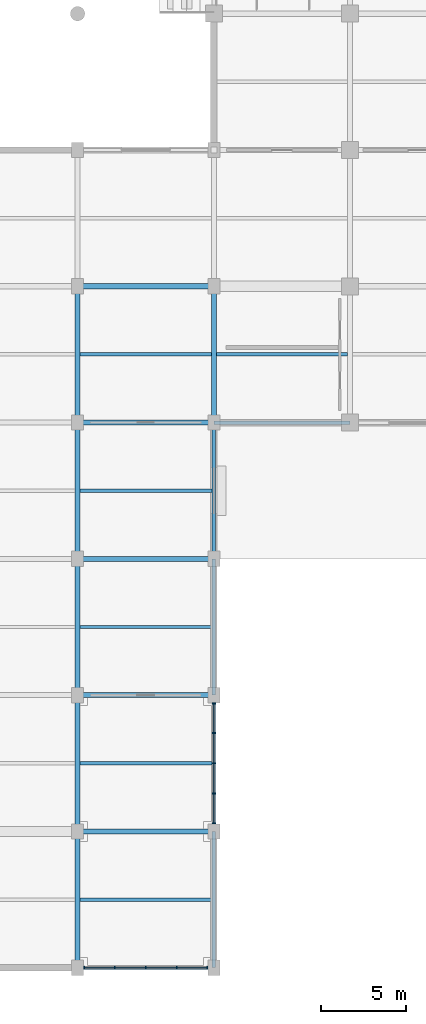
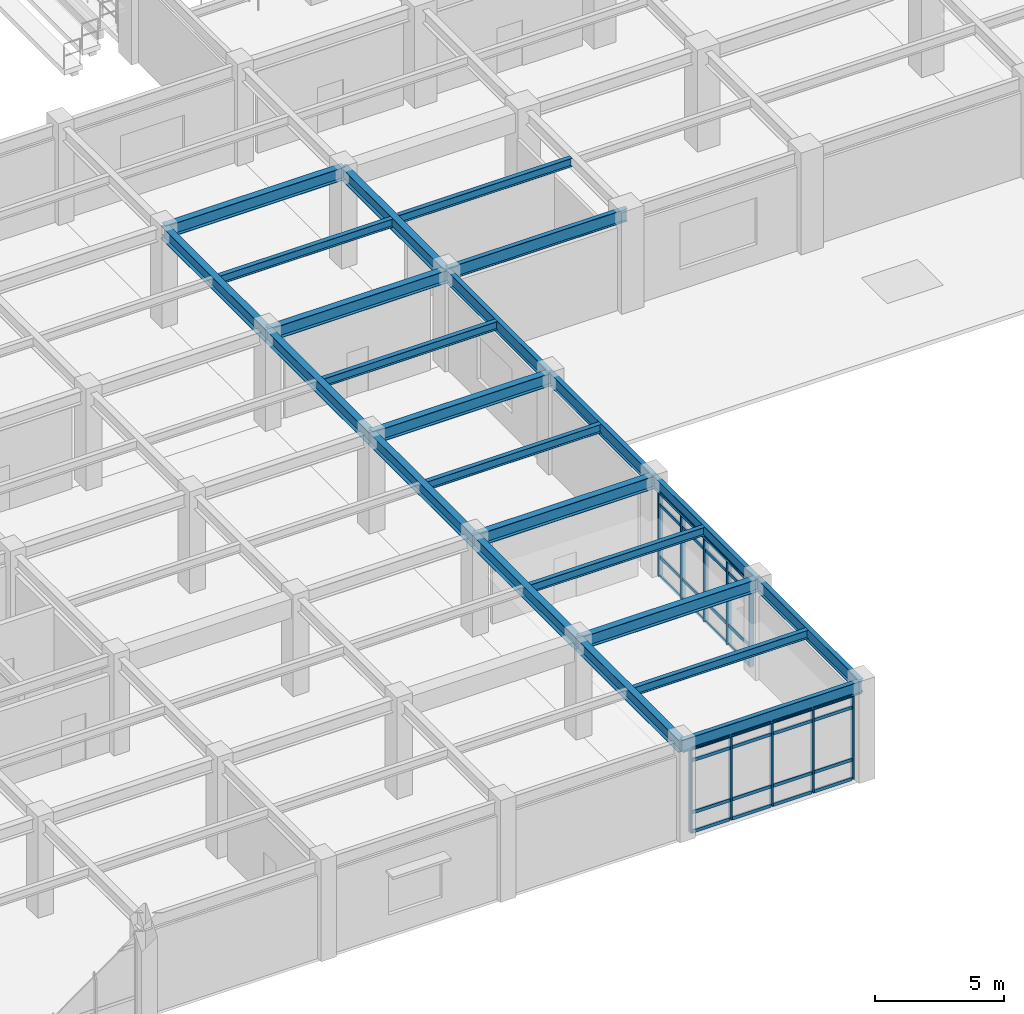
# One storey, part 31 of 117: 42 members, 23 beams, 2 elements without a shape of their own.
"""IFC4 building model written with IfcOpenShell, lengths in metres."""

from ifc_helpers import new_model, si_unit, direction, frame, origin, origin_2d, place, context, subcontext, project, spatial, rectangle, i_section, extrude, material, layer, layer_set, material_profile, profile_set, type_object, element, aggregate, save


model = new_model("IFC4")

# Units and contexts
model_context = context("Model", 3, precision=1e-05, world=origin(), true_north=direction((0.0, 1.0)))
body_context = subcontext(model_context, "Body", "Model", "MODEL_VIEW")
ifc_project = project(units=[si_unit("LENGTHUNIT", "METRE"), si_unit("AREAUNIT", "SQUARE_METRE"), si_unit("VOLUMEUNIT", "CUBIC_METRE"), si_unit("PLANEANGLEUNIT", "RADIAN"), si_unit("MASSUNIT", "GRAM", prefix="KILO")], contexts=[model_context])

# Site, building, storey
site_placement = place(None, origin())
site = spatial("IfcSite", under=ifc_project, at=site_placement, CompositionType="ELEMENT")
building_placement = place(site_placement, origin())
building = spatial("IfcBuilding", under=site, at=building_placement, Name="Haebicheon Civic Stadium", CompositionType="ELEMENT")
storey_placement = place(building_placement, frame((0.0, 0.0, 4.800048828125)))
storey = spatial("IfcBuildingStorey", under=building, at=storey_placement, Name="L02", CompositionType="ELEMENT", Elevation=4.800048828125)

# Beams
ifc_material_1 = material(Name="Steel SM355 (S355)", Category="steel")
ifc_material_profile_1 = material_profile(ifc_material_1, i_section(OverallWidth=0.300048828125, OverallDepth=0.60009765625, WebThickness=0.011962890625, FlangeThickness=0.02001953125, at=origin_2d()), Name="H-600x300x12x20")
ifc_profile_set_1 = profile_set([ifc_material_profile_1], Name="Steel SM355 (S355)")
beam_type_1 = type_object("IfcBeamType", Name="BM-ST-H600A", PredefinedType="BEAM", material=ifc_profile_set_1)
for number, where, z_axis, x_axis, name in (
    (1, (192.0, 0.0, 4.219970703125), (0.0, 1.0, 0.0), (-1.0, 0.0, 0.0), "L02 girder 25/A-B"),
    (2, (192.0, 8.0, 4.219970703125), (0.0, 1.0, 0.0), (-1.0, 0.0, 0.0), "L02 girder 25/B-C"),
    (3, (192.0, 16.0, 4.219970703125), (0.0, 1.0, 0.0), (-1.0, 0.0, 0.0), "L02 girder 25/C-D"),
    (4, (192.0, 24.0, 4.219970703125), (0.0, 1.0, 0.0), (-1.0, 0.0, 0.0), "L02 girder 25/D-E"),
    (5, (192.0, 32.0, 4.219970703125), (0.0, 1.0, 0.0), (-1.0, 0.0, 0.0), "L02 girder 25/E-F"),
    (6, (200.0, 32.0, 4.219970703125), (0.0, 1.0, 0.0), (-1.0, 0.0, 0.0), "L02 girder 26/E-F"),
    (7, (192.0, 8.0, 4.219970703125), (1.0, 0.0, 0.0), (0.0, 1.0, 0.0), "L02 beam B/25-26"),
    (8, (192.0, 16.0, 4.219970703125), (1.0, 0.0, 0.0), (0.0, 1.0, 0.0), "L02 beam C/25-26"),
    (9, (192.0, 24.0, 4.219970703125), (1.0, 0.0, 0.0), (0.0, 1.0, 0.0), "L02 beam D/25-26"),
    (10, (192.0, 32.0, 4.219970703125), (1.0, 0.0, 0.0), (0.0, 1.0, 0.0), "L02 beam E/25-26"),
    (11, (192.0, 40.0, 4.219970703125), (1.0, 0.0, 0.0), (0.0, 1.0, 0.0), "L02 beam F/25-26"),
):
    element("IfcBeam", number, at=place(storey_placement, frame(where, z_axis=z_axis, x_axis=x_axis)), inside=storey, type_object=beam_type_1, material=ifc_profile_set_1, Name=name, PredefinedType="BEAM", context=body_context, shape_type="SweptSolid", body=[
        extrude(i_section(OverallWidth=0.300048828125, OverallDepth=0.60009765625, WebThickness=0.011962890625, FlangeThickness=0.02001953125, at=origin_2d()), origin(), (0.0, 0.0, 1.0), 8.0),
    ])

# Curtain wall, members
ifc_material_2 = material(Name="Anodised aluminium and laminated glass", Category="aluminium")
ifc_layer_1 = layer(ifc_material_2, 0.179931640625, Name="Anodised aluminium and laminated glass")
ifc_layer_set_1 = layer_set([ifc_layer_1], Name="Anodised aluminium and laminated glass")
curtain_wall_type_1 = type_object("IfcCurtainWallType", Name="CW-7300x3910", PredefinedType="NOTDEFINED", material=ifc_layer_set_1)
curtain_wall_1_placement = place(storey_placement, origin())
curtain_wall_1 = element("IfcCurtainWall", 12, at=curtain_wall_1_placement, inside=storey, type_object=curtain_wall_type_1, material=ifc_layer_set_1, Name="L02 unitised curtain wall 060", PredefinedType="NOTDEFINED")
ifc_material_3 = material(Name="Anodised aluminium 6063-T6", Category="aluminium")
ifc_material_profile_2 = material_profile(ifc_material_3, rectangle(XDim=0.070068359375, YDim=0.199951171875, at=origin_2d()), Name="ALU-MULL-70x200")
ifc_profile_set_2 = profile_set([ifc_material_profile_2], Name="Anodised aluminium 6063-T6")
member_type_1 = type_object("IfcMemberType", Name="CWM-200x70", PredefinedType="MULLION", material=ifc_profile_set_2)
member_1_placement = place(storey_placement, frame((192.385009765625, 0.0, 0.0), z_axis=(0.0, 0.0, 1.0), x_axis=(1.0, 0.0, 0.0)))
member_1 = element("IfcMember", 13, at=member_1_placement, type_object=member_type_1, material=ifc_profile_set_2, Name="CW-L02-060 vertical mullion 1", PredefinedType="MULLION", context=body_context, shape_type="SweptSolid", body=[
    extrude(rectangle(XDim=0.070068359375, YDim=0.199951171875, at=origin_2d()), origin(), (0.0, 0.0, 1.0), 3.909912109375),
])
member_2_placement = place(storey_placement, frame((194.175048828125, 0.0, 0.0), z_axis=(0.0, 0.0, 1.0), x_axis=(1.0, 0.0, 0.0)))
member_2 = element("IfcMember", 14, at=member_2_placement, type_object=member_type_1, material=ifc_profile_set_2, Name="CW-L02-060 vertical mullion 2", PredefinedType="MULLION", context=body_context, shape_type="SweptSolid", body=[
    extrude(rectangle(XDim=0.070068359375, YDim=0.199951171875, at=origin_2d()), origin(), (0.0, 0.0, 1.0), 3.909912109375),
])
member_3_placement = place(storey_placement, frame((196.0, 0.0, 0.0), z_axis=(0.0, 0.0, 1.0), x_axis=(1.0, 0.0, 0.0)))
member_3 = element("IfcMember", 15, at=member_3_placement, type_object=member_type_1, material=ifc_profile_set_2, Name="CW-L02-060 vertical mullion 3", PredefinedType="MULLION", context=body_context, shape_type="SweptSolid", body=[
    extrude(rectangle(XDim=0.070068359375, YDim=0.199951171875, at=origin_2d()), origin(), (0.0, 0.0, 1.0), 3.909912109375),
])
member_4_placement = place(storey_placement, frame((197.824951171875, 0.0, 0.0), z_axis=(0.0, 0.0, 1.0), x_axis=(1.0, 0.0, 0.0)))
member_4 = element("IfcMember", 16, at=member_4_placement, type_object=member_type_1, material=ifc_profile_set_2, Name="CW-L02-060 vertical mullion 4", PredefinedType="MULLION", context=body_context, shape_type="SweptSolid", body=[
    extrude(rectangle(XDim=0.070068359375, YDim=0.199951171875, at=origin_2d()), origin(), (0.0, 0.0, 1.0), 3.909912109375),
])
member_5_placement = place(storey_placement, frame((199.614990234375, 0.0, 0.0), z_axis=(0.0, 0.0, 1.0), x_axis=(1.0, 0.0, 0.0)))
member_5 = element("IfcMember", 17, at=member_5_placement, type_object=member_type_1, material=ifc_profile_set_2, Name="CW-L02-060 vertical mullion 5", PredefinedType="MULLION", context=body_context, shape_type="SweptSolid", body=[
    extrude(rectangle(XDim=0.070068359375, YDim=0.199951171875, at=origin_2d()), origin(), (0.0, 0.0, 1.0), 3.909912109375),
])

ifc_material_4 = material(Name="Anodised aluminium and laminated glass", Category="aluminium")
ifc_layer_2 = layer(ifc_material_4, 0.179931640625, Name="Anodised aluminium and laminated glass")
ifc_layer_set_2 = layer_set([ifc_layer_2], Name="Anodised aluminium and laminated glass")
curtain_wall_type_2 = type_object("IfcCurtainWallType", Name="CW-7100x3910", PredefinedType="NOTDEFINED", material=ifc_layer_set_2)
curtain_wall_2_placement = place(storey_placement, origin())
curtain_wall_2 = element("IfcCurtainWall", 18, at=curtain_wall_2_placement, inside=storey, type_object=curtain_wall_type_2, material=ifc_layer_set_2, Name="L02 unitised curtain wall 061", PredefinedType="NOTDEFINED")
member_6_placement = place(storey_placement, frame((200.0, 8.485107421875, 0.0), z_axis=(0.0, 0.0, 1.0), x_axis=(0.0, 1.0, 0.0)))
member_6 = element("IfcMember", 19, at=member_6_placement, type_object=member_type_1, material=ifc_profile_set_2, Name="CW-L02-061 vertical mullion 1", PredefinedType="MULLION", context=body_context, shape_type="SweptSolid", body=[
    extrude(rectangle(XDim=0.070068359375, YDim=0.199951171875, at=origin_2d()), origin(), (0.0, 0.0, 1.0), 3.909912109375),
])
member_7_placement = place(storey_placement, frame((200.0, 10.22509765625, 0.0), z_axis=(0.0, 0.0, 1.0), x_axis=(0.0, 1.0, 0.0)))
member_7 = element("IfcMember", 20, at=member_7_placement, type_object=member_type_1, material=ifc_profile_set_2, Name="CW-L02-061 vertical mullion 2", PredefinedType="MULLION", context=body_context, shape_type="SweptSolid", body=[
    extrude(rectangle(XDim=0.070068359375, YDim=0.199951171875, at=origin_2d()), origin(), (0.0, 0.0, 1.0), 3.909912109375),
])
member_8_placement = place(storey_placement, frame((200.0, 12.0, 0.0), z_axis=(0.0, 0.0, 1.0), x_axis=(0.0, 1.0, 0.0)))
member_8 = element("IfcMember", 21, at=member_8_placement, type_object=member_type_1, material=ifc_profile_set_2, Name="CW-L02-061 vertical mullion 3", PredefinedType="MULLION", context=body_context, shape_type="SweptSolid", body=[
    extrude(rectangle(XDim=0.070068359375, YDim=0.199951171875, at=origin_2d()), origin(), (0.0, 0.0, 1.0), 3.909912109375),
])
member_9_placement = place(storey_placement, frame((200.0, 13.77490234375, 0.0), z_axis=(0.0, 0.0, 1.0), x_axis=(0.0, 1.0, 0.0)))
member_9 = element("IfcMember", 22, at=member_9_placement, type_object=member_type_1, material=ifc_profile_set_2, Name="CW-L02-061 vertical mullion 4", PredefinedType="MULLION", context=body_context, shape_type="SweptSolid", body=[
    extrude(rectangle(XDim=0.070068359375, YDim=0.199951171875, at=origin_2d()), origin(), (0.0, 0.0, 1.0), 3.909912109375),
])
member_10_placement = place(storey_placement, frame((200.0, 15.514892578125, 0.0), z_axis=(0.0, 0.0, 1.0), x_axis=(0.0, 1.0, 0.0)))
member_10 = element("IfcMember", 23, at=member_10_placement, type_object=member_type_1, material=ifc_profile_set_2, Name="CW-L02-061 vertical mullion 5", PredefinedType="MULLION", context=body_context, shape_type="SweptSolid", body=[
    extrude(rectangle(XDim=0.070068359375, YDim=0.199951171875, at=origin_2d()), origin(), (0.0, 0.0, 1.0), 3.909912109375),
])

# Member
ifc_material_5 = material(Name="Anodised aluminium 6063-T6", Category="aluminium")
ifc_material_profile_3 = material_profile(ifc_material_5, rectangle(XDim=0.070068359375, YDim=0.14990234375, at=origin_2d()), Name="ALU-TRAN-70x150")
ifc_profile_set_3 = profile_set([ifc_material_profile_3], Name="Anodised aluminium 6063-T6")
member_type_2 = type_object("IfcMemberType", Name="CWT-150x70", PredefinedType="NOTDEFINED", material=ifc_profile_set_3)
member_11_placement = place(storey_placement, frame((192.419921875, 0.0, 0.0), z_axis=(1.0, 0.0, 0.0), x_axis=(0.0, 1.0, 0.0)))
member_11 = element("IfcMember", 24, at=member_11_placement, type_object=member_type_2, material=ifc_profile_set_3, Name="CW-L02-060 horizontal transom 1.1", ObjectType="TRANSOM", PredefinedType="USERDEFINED", context=body_context, shape_type="SweptSolid", body=[
    extrude(rectangle(XDim=0.070068359375, YDim=0.14990234375, at=origin_2d()), origin(), (0.0, 0.0, 1.0), 1.719970703125),
])

member_12_placement = place(storey_placement, frame((192.419921875, 0.0, 0.89990234375), z_axis=(1.0, 0.0, 0.0), x_axis=(0.0, 1.0, 0.0)))
member_12 = element("IfcMember", 25, at=member_12_placement, type_object=member_type_2, material=ifc_profile_set_3, Name="CW-L02-060 horizontal transom 1.2", ObjectType="TRANSOM", PredefinedType="USERDEFINED", context=body_context, shape_type="SweptSolid", body=[
    extrude(rectangle(XDim=0.070068359375, YDim=0.14990234375, at=origin_2d()), origin(), (0.0, 0.0, 1.0), 1.719970703125),
])

member_13_placement = place(storey_placement, frame((192.419921875, 0.0, 3.35986328125), z_axis=(1.0, 0.0, 0.0), x_axis=(0.0, 1.0, 0.0)))
member_13 = element("IfcMember", 26, at=member_13_placement, type_object=member_type_2, material=ifc_profile_set_3, Name="CW-L02-060 horizontal transom 1.3", ObjectType="TRANSOM", PredefinedType="USERDEFINED", context=body_context, shape_type="SweptSolid", body=[
    extrude(rectangle(XDim=0.070068359375, YDim=0.14990234375, at=origin_2d()), origin(), (0.0, 0.0, 1.0), 1.719970703125),
])

member_14_placement = place(storey_placement, frame((192.419921875, 0.0, 3.909912109375), z_axis=(1.0, 0.0, 0.0), x_axis=(0.0, 1.0, 0.0)))
member_14 = element("IfcMember", 27, at=member_14_placement, type_object=member_type_2, material=ifc_profile_set_3, Name="CW-L02-060 horizontal transom 1.4", ObjectType="TRANSOM", PredefinedType="USERDEFINED", context=body_context, shape_type="SweptSolid", body=[
    extrude(rectangle(XDim=0.070068359375, YDim=0.14990234375, at=origin_2d()), origin(), (0.0, 0.0, 1.0), 1.719970703125),
])

member_15_placement = place(storey_placement, frame((194.2099609375, 0.0, 0.0), z_axis=(1.0, 0.0, 0.0), x_axis=(0.0, 1.0, 0.0)))
member_15 = element("IfcMember", 28, at=member_15_placement, type_object=member_type_2, material=ifc_profile_set_3, Name="CW-L02-060 horizontal transom 2.1", ObjectType="TRANSOM", PredefinedType="USERDEFINED", context=body_context, shape_type="SweptSolid", body=[
    extrude(rectangle(XDim=0.070068359375, YDim=0.14990234375, at=origin_2d()), origin(), (0.0, 0.0, 1.0), 1.755126953125),
])

member_16_placement = place(storey_placement, frame((194.2099609375, 0.0, 0.89990234375), z_axis=(1.0, 0.0, 0.0), x_axis=(0.0, 1.0, 0.0)))
member_16 = element("IfcMember", 29, at=member_16_placement, type_object=member_type_2, material=ifc_profile_set_3, Name="CW-L02-060 horizontal transom 2.2", ObjectType="TRANSOM", PredefinedType="USERDEFINED", context=body_context, shape_type="SweptSolid", body=[
    extrude(rectangle(XDim=0.070068359375, YDim=0.14990234375, at=origin_2d()), origin(), (0.0, 0.0, 1.0), 1.755126953125),
])

member_17_placement = place(storey_placement, frame((194.2099609375, 0.0, 3.35986328125), z_axis=(1.0, 0.0, 0.0), x_axis=(0.0, 1.0, 0.0)))
member_17 = element("IfcMember", 30, at=member_17_placement, type_object=member_type_2, material=ifc_profile_set_3, Name="CW-L02-060 horizontal transom 2.3", ObjectType="TRANSOM", PredefinedType="USERDEFINED", context=body_context, shape_type="SweptSolid", body=[
    extrude(rectangle(XDim=0.070068359375, YDim=0.14990234375, at=origin_2d()), origin(), (0.0, 0.0, 1.0), 1.755126953125),
])

member_18_placement = place(storey_placement, frame((194.2099609375, 0.0, 3.909912109375), z_axis=(1.0, 0.0, 0.0), x_axis=(0.0, 1.0, 0.0)))
member_18 = element("IfcMember", 31, at=member_18_placement, type_object=member_type_2, material=ifc_profile_set_3, Name="CW-L02-060 horizontal transom 2.4", ObjectType="TRANSOM", PredefinedType="USERDEFINED", context=body_context, shape_type="SweptSolid", body=[
    extrude(rectangle(XDim=0.070068359375, YDim=0.14990234375, at=origin_2d()), origin(), (0.0, 0.0, 1.0), 1.755126953125),
])

member_19_placement = place(storey_placement, frame((196.034912109375, 0.0, 0.0), z_axis=(1.0, 0.0, 0.0), x_axis=(0.0, 1.0, 0.0)))
member_19 = element("IfcMember", 32, at=member_19_placement, type_object=member_type_2, material=ifc_profile_set_3, Name="CW-L02-060 horizontal transom 3.1", ObjectType="TRANSOM", PredefinedType="USERDEFINED", context=body_context, shape_type="SweptSolid", body=[
    extrude(rectangle(XDim=0.070068359375, YDim=0.14990234375, at=origin_2d()), origin(), (0.0, 0.0, 1.0), 1.755126953125),
])

member_20_placement = place(storey_placement, frame((196.034912109375, 0.0, 0.89990234375), z_axis=(1.0, 0.0, 0.0), x_axis=(0.0, 1.0, 0.0)))
member_20 = element("IfcMember", 33, at=member_20_placement, type_object=member_type_2, material=ifc_profile_set_3, Name="CW-L02-060 horizontal transom 3.2", ObjectType="TRANSOM", PredefinedType="USERDEFINED", context=body_context, shape_type="SweptSolid", body=[
    extrude(rectangle(XDim=0.070068359375, YDim=0.14990234375, at=origin_2d()), origin(), (0.0, 0.0, 1.0), 1.755126953125),
])

member_21_placement = place(storey_placement, frame((196.034912109375, 0.0, 3.35986328125), z_axis=(1.0, 0.0, 0.0), x_axis=(0.0, 1.0, 0.0)))
member_21 = element("IfcMember", 34, at=member_21_placement, type_object=member_type_2, material=ifc_profile_set_3, Name="CW-L02-060 horizontal transom 3.3", ObjectType="TRANSOM", PredefinedType="USERDEFINED", context=body_context, shape_type="SweptSolid", body=[
    extrude(rectangle(XDim=0.070068359375, YDim=0.14990234375, at=origin_2d()), origin(), (0.0, 0.0, 1.0), 1.755126953125),
])

member_22_placement = place(storey_placement, frame((196.034912109375, 0.0, 3.909912109375), z_axis=(1.0, 0.0, 0.0), x_axis=(0.0, 1.0, 0.0)))
member_22 = element("IfcMember", 35, at=member_22_placement, type_object=member_type_2, material=ifc_profile_set_3, Name="CW-L02-060 horizontal transom 3.4", ObjectType="TRANSOM", PredefinedType="USERDEFINED", context=body_context, shape_type="SweptSolid", body=[
    extrude(rectangle(XDim=0.070068359375, YDim=0.14990234375, at=origin_2d()), origin(), (0.0, 0.0, 1.0), 1.755126953125),
])

member_23_placement = place(storey_placement, frame((197.860107421875, 0.0, 0.0), z_axis=(1.0, 0.0, 0.0), x_axis=(0.0, 1.0, 0.0)))
member_23 = element("IfcMember", 36, at=member_23_placement, type_object=member_type_2, material=ifc_profile_set_3, Name="CW-L02-060 horizontal transom 4.1", ObjectType="TRANSOM", PredefinedType="USERDEFINED", context=body_context, shape_type="SweptSolid", body=[
    extrude(rectangle(XDim=0.070068359375, YDim=0.14990234375, at=origin_2d()), origin(), (0.0, 0.0, 1.0), 1.719970703125),
])

member_24_placement = place(storey_placement, frame((197.860107421875, 0.0, 0.89990234375), z_axis=(1.0, 0.0, 0.0), x_axis=(0.0, 1.0, 0.0)))
member_24 = element("IfcMember", 37, at=member_24_placement, type_object=member_type_2, material=ifc_profile_set_3, Name="CW-L02-060 horizontal transom 4.2", ObjectType="TRANSOM", PredefinedType="USERDEFINED", context=body_context, shape_type="SweptSolid", body=[
    extrude(rectangle(XDim=0.070068359375, YDim=0.14990234375, at=origin_2d()), origin(), (0.0, 0.0, 1.0), 1.719970703125),
])

member_25_placement = place(storey_placement, frame((197.860107421875, 0.0, 3.35986328125), z_axis=(1.0, 0.0, 0.0), x_axis=(0.0, 1.0, 0.0)))
member_25 = element("IfcMember", 38, at=member_25_placement, type_object=member_type_2, material=ifc_profile_set_3, Name="CW-L02-060 horizontal transom 4.3", ObjectType="TRANSOM", PredefinedType="USERDEFINED", context=body_context, shape_type="SweptSolid", body=[
    extrude(rectangle(XDim=0.070068359375, YDim=0.14990234375, at=origin_2d()), origin(), (0.0, 0.0, 1.0), 1.719970703125),
])

member_26_placement = place(storey_placement, frame((197.860107421875, 0.0, 3.909912109375), z_axis=(1.0, 0.0, 0.0), x_axis=(0.0, 1.0, 0.0)))
member_26 = element("IfcMember", 39, at=member_26_placement, type_object=member_type_2, material=ifc_profile_set_3, Name="CW-L02-060 horizontal transom 4.4", ObjectType="TRANSOM", PredefinedType="USERDEFINED", context=body_context, shape_type="SweptSolid", body=[
    extrude(rectangle(XDim=0.070068359375, YDim=0.14990234375, at=origin_2d()), origin(), (0.0, 0.0, 1.0), 1.719970703125),
])

aggregate(curtain_wall_1, [member_1, member_2, member_3, member_4, member_5, member_11, member_12, member_13, member_14, member_15, member_16, member_17, member_18, member_19, member_20, member_21, member_22, member_23, member_24, member_25, member_26])

member_27_placement = place(storey_placement, frame((200.0, 8.52001953125, 0.0), z_axis=(0.0, 1.0, 0.0), x_axis=(-1.0, 0.0, 0.0)))
member_27 = element("IfcMember", 40, at=member_27_placement, type_object=member_type_2, material=ifc_profile_set_3, Name="CW-L02-061 horizontal transom 1.1", ObjectType="TRANSOM", PredefinedType="USERDEFINED", context=body_context, shape_type="SweptSolid", body=[
    extrude(rectangle(XDim=0.070068359375, YDim=0.14990234375, at=origin_2d()), origin(), (0.0, 0.0, 1.0), 1.669921875),
])

member_28_placement = place(storey_placement, frame((200.0, 8.52001953125, 0.89990234375), z_axis=(0.0, 1.0, 0.0), x_axis=(-1.0, 0.0, 0.0)))
member_28 = element("IfcMember", 41, at=member_28_placement, type_object=member_type_2, material=ifc_profile_set_3, Name="CW-L02-061 horizontal transom 1.2", ObjectType="TRANSOM", PredefinedType="USERDEFINED", context=body_context, shape_type="SweptSolid", body=[
    extrude(rectangle(XDim=0.070068359375, YDim=0.14990234375, at=origin_2d()), origin(), (0.0, 0.0, 1.0), 1.669921875),
])

member_29_placement = place(storey_placement, frame((200.0, 8.52001953125, 3.35986328125), z_axis=(0.0, 1.0, 0.0), x_axis=(-1.0, 0.0, 0.0)))
member_29 = element("IfcMember", 42, at=member_29_placement, type_object=member_type_2, material=ifc_profile_set_3, Name="CW-L02-061 horizontal transom 1.3", ObjectType="TRANSOM", PredefinedType="USERDEFINED", context=body_context, shape_type="SweptSolid", body=[
    extrude(rectangle(XDim=0.070068359375, YDim=0.14990234375, at=origin_2d()), origin(), (0.0, 0.0, 1.0), 1.669921875),
])

member_30_placement = place(storey_placement, frame((200.0, 8.52001953125, 3.909912109375), z_axis=(0.0, 1.0, 0.0), x_axis=(-1.0, 0.0, 0.0)))
member_30 = element("IfcMember", 43, at=member_30_placement, type_object=member_type_2, material=ifc_profile_set_3, Name="CW-L02-061 horizontal transom 1.4", ObjectType="TRANSOM", PredefinedType="USERDEFINED", context=body_context, shape_type="SweptSolid", body=[
    extrude(rectangle(XDim=0.070068359375, YDim=0.14990234375, at=origin_2d()), origin(), (0.0, 0.0, 1.0), 1.669921875),
])

member_31_placement = place(storey_placement, frame((200.0, 10.260009765625, 0.0), z_axis=(0.0, 1.0, 0.0), x_axis=(-1.0, 0.0, 0.0)))
member_31 = element("IfcMember", 44, at=member_31_placement, type_object=member_type_2, material=ifc_profile_set_3, Name="CW-L02-061 horizontal transom 2.1", ObjectType="TRANSOM", PredefinedType="USERDEFINED", context=body_context, shape_type="SweptSolid", body=[
    extrude(rectangle(XDim=0.070068359375, YDim=0.14990234375, at=origin_2d()), origin(), (0.0, 0.0, 1.0), 1.705078125),
])

member_32_placement = place(storey_placement, frame((200.0, 10.260009765625, 0.89990234375), z_axis=(0.0, 1.0, 0.0), x_axis=(-1.0, 0.0, 0.0)))
member_32 = element("IfcMember", 45, at=member_32_placement, type_object=member_type_2, material=ifc_profile_set_3, Name="CW-L02-061 horizontal transom 2.2", ObjectType="TRANSOM", PredefinedType="USERDEFINED", context=body_context, shape_type="SweptSolid", body=[
    extrude(rectangle(XDim=0.070068359375, YDim=0.14990234375, at=origin_2d()), origin(), (0.0, 0.0, 1.0), 1.705078125),
])

member_33_placement = place(storey_placement, frame((200.0, 10.260009765625, 3.35986328125), z_axis=(0.0, 1.0, 0.0), x_axis=(-1.0, 0.0, 0.0)))
member_33 = element("IfcMember", 46, at=member_33_placement, type_object=member_type_2, material=ifc_profile_set_3, Name="CW-L02-061 horizontal transom 2.3", ObjectType="TRANSOM", PredefinedType="USERDEFINED", context=body_context, shape_type="SweptSolid", body=[
    extrude(rectangle(XDim=0.070068359375, YDim=0.14990234375, at=origin_2d()), origin(), (0.0, 0.0, 1.0), 1.705078125),
])

member_34_placement = place(storey_placement, frame((200.0, 10.260009765625, 3.909912109375), z_axis=(0.0, 1.0, 0.0), x_axis=(-1.0, 0.0, 0.0)))
member_34 = element("IfcMember", 47, at=member_34_placement, type_object=member_type_2, material=ifc_profile_set_3, Name="CW-L02-061 horizontal transom 2.4", ObjectType="TRANSOM", PredefinedType="USERDEFINED", context=body_context, shape_type="SweptSolid", body=[
    extrude(rectangle(XDim=0.070068359375, YDim=0.14990234375, at=origin_2d()), origin(), (0.0, 0.0, 1.0), 1.705078125),
])

member_35_placement = place(storey_placement, frame((200.0, 12.034912109375, 0.0), z_axis=(0.0, 1.0, 0.0), x_axis=(-1.0, 0.0, 0.0)))
member_35 = element("IfcMember", 48, at=member_35_placement, type_object=member_type_2, material=ifc_profile_set_3, Name="CW-L02-061 horizontal transom 3.1", ObjectType="TRANSOM", PredefinedType="USERDEFINED", context=body_context, shape_type="SweptSolid", body=[
    extrude(rectangle(XDim=0.070068359375, YDim=0.14990234375, at=origin_2d()), origin(), (0.0, 0.0, 1.0), 1.705078125),
])

member_36_placement = place(storey_placement, frame((200.0, 12.034912109375, 0.89990234375), z_axis=(0.0, 1.0, 0.0), x_axis=(-1.0, 0.0, 0.0)))
member_36 = element("IfcMember", 49, at=member_36_placement, type_object=member_type_2, material=ifc_profile_set_3, Name="CW-L02-061 horizontal transom 3.2", ObjectType="TRANSOM", PredefinedType="USERDEFINED", context=body_context, shape_type="SweptSolid", body=[
    extrude(rectangle(XDim=0.070068359375, YDim=0.14990234375, at=origin_2d()), origin(), (0.0, 0.0, 1.0), 1.705078125),
])

member_37_placement = place(storey_placement, frame((200.0, 12.034912109375, 3.35986328125), z_axis=(0.0, 1.0, 0.0), x_axis=(-1.0, 0.0, 0.0)))
member_37 = element("IfcMember", 50, at=member_37_placement, type_object=member_type_2, material=ifc_profile_set_3, Name="CW-L02-061 horizontal transom 3.3", ObjectType="TRANSOM", PredefinedType="USERDEFINED", context=body_context, shape_type="SweptSolid", body=[
    extrude(rectangle(XDim=0.070068359375, YDim=0.14990234375, at=origin_2d()), origin(), (0.0, 0.0, 1.0), 1.705078125),
])

member_38_placement = place(storey_placement, frame((200.0, 12.034912109375, 3.909912109375), z_axis=(0.0, 1.0, 0.0), x_axis=(-1.0, 0.0, 0.0)))
member_38 = element("IfcMember", 51, at=member_38_placement, type_object=member_type_2, material=ifc_profile_set_3, Name="CW-L02-061 horizontal transom 3.4", ObjectType="TRANSOM", PredefinedType="USERDEFINED", context=body_context, shape_type="SweptSolid", body=[
    extrude(rectangle(XDim=0.070068359375, YDim=0.14990234375, at=origin_2d()), origin(), (0.0, 0.0, 1.0), 1.705078125),
])

member_39_placement = place(storey_placement, frame((200.0, 13.81005859375, 0.0), z_axis=(0.0, 1.0, 0.0), x_axis=(-1.0, 0.0, 0.0)))
member_39 = element("IfcMember", 52, at=member_39_placement, type_object=member_type_2, material=ifc_profile_set_3, Name="CW-L02-061 horizontal transom 4.1", ObjectType="TRANSOM", PredefinedType="USERDEFINED", context=body_context, shape_type="SweptSolid", body=[
    extrude(rectangle(XDim=0.070068359375, YDim=0.14990234375, at=origin_2d()), origin(), (0.0, 0.0, 1.0), 1.669921875),
])

member_40_placement = place(storey_placement, frame((200.0, 13.81005859375, 0.89990234375), z_axis=(0.0, 1.0, 0.0), x_axis=(-1.0, 0.0, 0.0)))
member_40 = element("IfcMember", 53, at=member_40_placement, type_object=member_type_2, material=ifc_profile_set_3, Name="CW-L02-061 horizontal transom 4.2", ObjectType="TRANSOM", PredefinedType="USERDEFINED", context=body_context, shape_type="SweptSolid", body=[
    extrude(rectangle(XDim=0.070068359375, YDim=0.14990234375, at=origin_2d()), origin(), (0.0, 0.0, 1.0), 1.669921875),
])

member_41_placement = place(storey_placement, frame((200.0, 13.81005859375, 3.35986328125), z_axis=(0.0, 1.0, 0.0), x_axis=(-1.0, 0.0, 0.0)))
member_41 = element("IfcMember", 54, at=member_41_placement, type_object=member_type_2, material=ifc_profile_set_3, Name="CW-L02-061 horizontal transom 4.3", ObjectType="TRANSOM", PredefinedType="USERDEFINED", context=body_context, shape_type="SweptSolid", body=[
    extrude(rectangle(XDim=0.070068359375, YDim=0.14990234375, at=origin_2d()), origin(), (0.0, 0.0, 1.0), 1.669921875),
])

member_42_placement = place(storey_placement, frame((200.0, 13.81005859375, 3.909912109375), z_axis=(0.0, 1.0, 0.0), x_axis=(-1.0, 0.0, 0.0)))
member_42 = element("IfcMember", 55, at=member_42_placement, type_object=member_type_2, material=ifc_profile_set_3, Name="CW-L02-061 horizontal transom 4.4", ObjectType="TRANSOM", PredefinedType="USERDEFINED", context=body_context, shape_type="SweptSolid", body=[
    extrude(rectangle(XDim=0.070068359375, YDim=0.14990234375, at=origin_2d()), origin(), (0.0, 0.0, 1.0), 1.669921875),
])

aggregate(curtain_wall_2, [member_6, member_7, member_8, member_9, member_10, member_27, member_28, member_29, member_30, member_31, member_32, member_33, member_34, member_35, member_36, member_37, member_38, member_39, member_40, member_41, member_42])

# Beams
ifc_material_6 = material(Name="Steel SM355 (S355)", Category="steel")
ifc_material_profile_4 = material_profile(ifc_material_6, i_section(OverallWidth=0.199951171875, OverallDepth=0.39990234375, WebThickness=0.008056640625, FlangeThickness=0.012939453125, at=origin_2d()), Name="H-400x200x8x13")
ifc_profile_set_4 = profile_set([ifc_material_profile_4], Name="Steel SM355 (S355)")
beam_type_2 = type_object("IfcBeamType", Name="JST-ST-H400", PredefinedType="JOIST", material=ifc_profile_set_4)
for number, where, z_axis, x_axis, name in (
    (56, (192.14990234375, 4.0, 4.320068359375), (1.0, 0.0, 0.0), (0.0, 1.0, 0.0), "L02 secondary joist 24-00"),
    (57, (192.14990234375, 12.0, 4.320068359375), (1.0, 0.0, 0.0), (0.0, 1.0, 0.0), "L02 secondary joist 24-01"),
    (58, (192.14990234375, 20.0, 4.320068359375), (1.0, 0.0, 0.0), (0.0, 1.0, 0.0), "L02 secondary joist 24-02"),
    (59, (192.14990234375, 28.0, 4.320068359375), (1.0, 0.0, 0.0), (0.0, 1.0, 0.0), "L02 secondary joist 24-03"),
):
    element("IfcBeam", number, at=place(storey_placement, frame(where, z_axis=z_axis, x_axis=x_axis)), inside=storey, type_object=beam_type_2, material=ifc_profile_set_4, Name=name, PredefinedType="JOIST", context=body_context, shape_type="SweptSolid", body=[
        extrude(i_section(OverallWidth=0.199951171875, OverallDepth=0.39990234375, WebThickness=0.008056640625, FlangeThickness=0.012939453125, at=origin_2d()), origin(), (0.0, 0.0, 1.0), 7.75),
    ])
for number, where, z_axis, x_axis, name in (
    (60, (192.14990234375, 36.0, 4.320068359375), (1.0, 0.0, 0.0), (0.0, 1.0, 0.0), "L02 secondary joist 24-04"),
    (61, (200.14990234375, 36.0, 4.3798828125), (1.0, 0.0, 0.0), (0.0, 1.0, 0.0), "L02 secondary joist 25-04"),
):
    element("IfcBeam", number, at=place(storey_placement, frame(where, z_axis=z_axis, x_axis=x_axis)), inside=storey, type_object=beam_type_2, material=ifc_profile_set_4, Name=name, PredefinedType="JOIST", context=body_context, shape_type="SweptSolid", body=[
        extrude(i_section(OverallWidth=0.199951171875, OverallDepth=0.39990234375, WebThickness=0.008056640625, FlangeThickness=0.012939453125, at=origin_2d()), origin(), (0.0, 0.0, 1.0), 7.7001953125),
    ])
ifc_material_7 = material(Name="Steel SM355 (S355)", Category="steel")
ifc_material_profile_5 = material_profile(ifc_material_7, i_section(OverallWidth=0.199951171875, OverallDepth=0.60009765625, WebThickness=0.010986328125, FlangeThickness=0.01708984375, at=origin_2d()), Name="H-600x200x11x17")
ifc_profile_set_5 = profile_set([ifc_material_profile_5], Name="Steel SM355 (S355)")
beam_type_3 = type_object("IfcBeamType", Name="SPD-ST-H600B", PredefinedType="SPANDREL", material=ifc_profile_set_5)
for number, where, z_axis, x_axis, name in (
    (62, (200.0, 0.0, 4.219970703125), (0.0, 1.0, 0.0), (-1.0, 0.0, 0.0), "L02 girder 26/A-B"),
    (63, (200.0, 8.0, 4.219970703125), (0.0, 1.0, 0.0), (-1.0, 0.0, 0.0), "L02 girder 26/B-C"),
    (64, (200.0, 16.0, 4.219970703125), (0.0, 1.0, 0.0), (-1.0, 0.0, 0.0), "L02 girder 26/C-D"),
    (65, (200.0, 24.0, 4.219970703125), (0.0, 1.0, 0.0), (-1.0, 0.0, 0.0), "L02 girder 26/D-E"),
    (66, (192.0, 0.0, 4.219970703125), (1.0, 0.0, 0.0), (0.0, 1.0, 0.0), "L02 beam A/25-26"),
    (67, (200.0, 32.0, 4.280029296875), (1.0, 0.0, 0.0), (0.0, 1.0, 0.0), "L02 beam E/26-27"),
):
    element("IfcBeam", number, at=place(storey_placement, frame(where, z_axis=z_axis, x_axis=x_axis)), inside=storey, type_object=beam_type_3, material=ifc_profile_set_5, Name=name, PredefinedType="SPANDREL", context=body_context, shape_type="SweptSolid", body=[
        extrude(i_section(OverallWidth=0.199951171875, OverallDepth=0.60009765625, WebThickness=0.010986328125, FlangeThickness=0.01708984375, at=origin_2d()), origin(), (0.0, 0.0, 1.0), 8.0),
    ])

save(model, "model.ifc")
